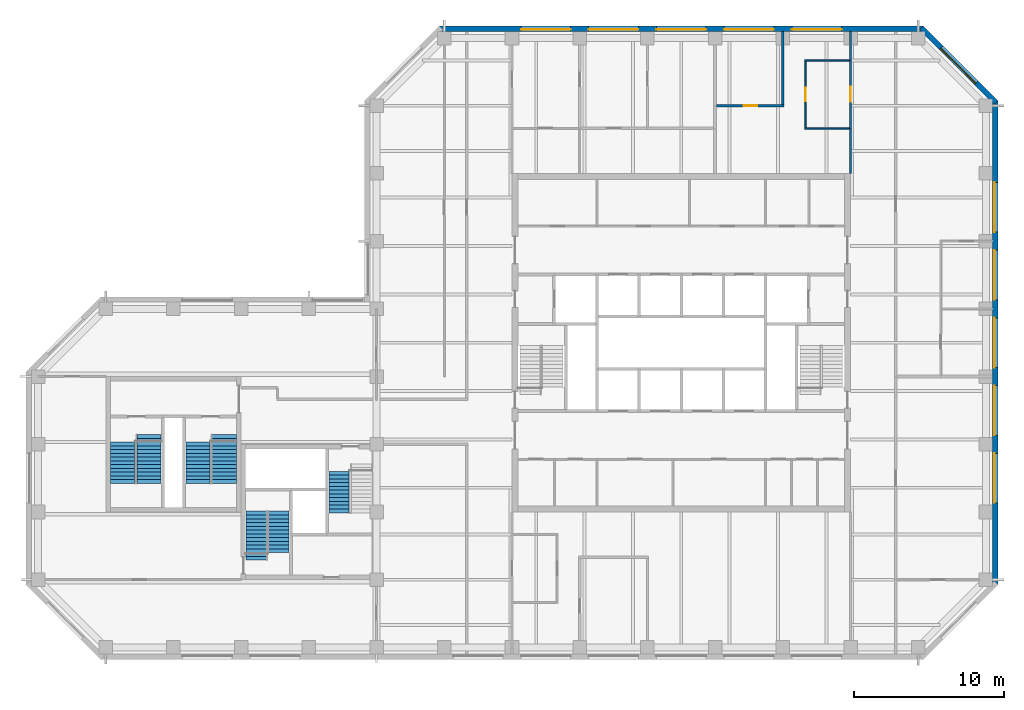
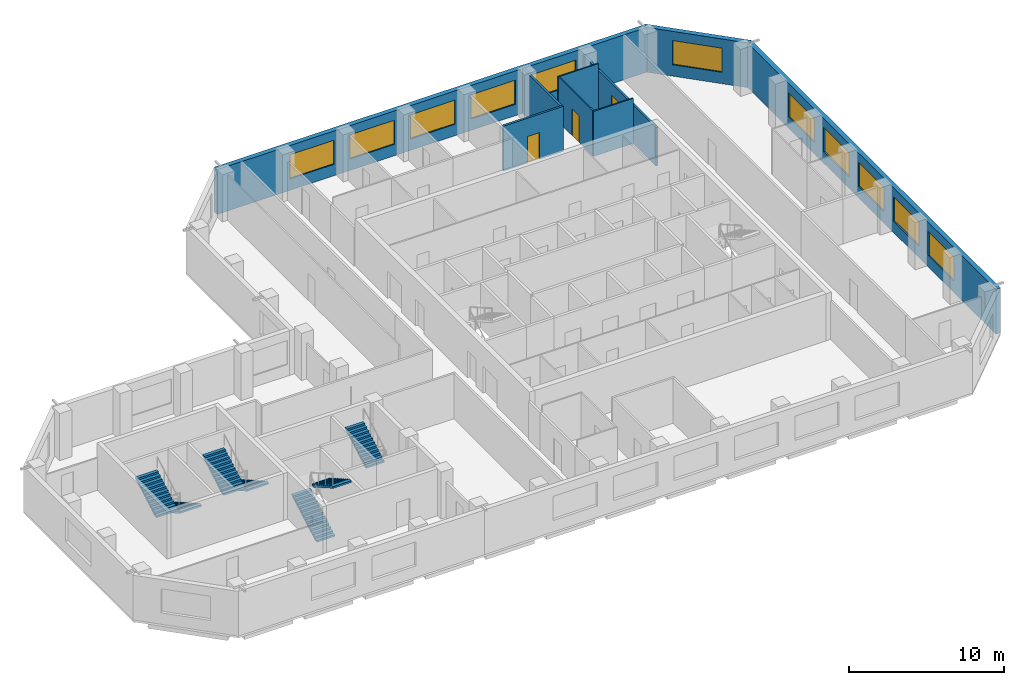
# One storey, part 7 of 9: 11 walls, 11 windows, 7 stair flights, 3 doors, 14 openings, 4 elements without a shape of their own.
"""IFC4 building model written with IfcOpenShell, lengths in metres."""

from ifc_helpers import new_model, si_unit, direction, frame, frame_2d, origin, place, context, subcontext, project, spatial, polyline, rectangle, outline, extrude, material, layer, layer_set, constituent, constituent_set, type_object, element, fill, aggregate, save


model = new_model("IFC4")

# Units and contexts
model_context = context("Model", 3, precision=1e-05, world=origin(), true_north=direction((0.0, 1.0)))
body_context = subcontext(model_context, "Body", "Model", "MODEL_VIEW")
ifc_project = project(units=[si_unit("LENGTHUNIT", "METRE"), si_unit("AREAUNIT", "SQUARE_METRE"), si_unit("VOLUMEUNIT", "CUBIC_METRE"), si_unit("PLANEANGLEUNIT", "RADIAN"), si_unit("MASSUNIT", "GRAM", prefix="KILO")], contexts=[model_context])

# Site, building, storey
site_placement = place(None, origin())
site = spatial("IfcSite", under=ifc_project, at=site_placement, CompositionType="ELEMENT")
building_placement = place(site_placement, origin())
building = spatial("IfcBuilding", under=site, at=building_placement, Name="Quoin Convention Tower", CompositionType="ELEMENT")
storey_placement = place(building_placement, frame((0.0, 0.0, 155.10009765625)))
storey = spatial("IfcBuildingStorey", under=building, at=storey_placement, Name="L40", CompositionType="ELEMENT", Elevation=155.10009765625)

# Wall, opening, door
ifc_material_1 = material(Name="Plasterboard")
ifc_layer_1 = layer(ifc_material_1, 0.012451171875, Name="Finish")
ifc_material_2 = material(Name="Steel stud framing", Category="steel")
ifc_layer_2 = layer(ifc_material_2, 0.125, Name="Structure")
ifc_layer_3 = layer(ifc_material_1, 0.012451171875, Name="Finish")
ifc_layer_set_1 = layer_set([ifc_layer_1, ifc_layer_2, ifc_layer_3], Name="Steel stud framing")
wall_type_1 = type_object("IfcWallType", Name="Acoustic partition 150", PredefinedType="PARTITIONING", material=ifc_layer_set_1)
wall_1_placement = place(storey_placement, frame((58.60009765625, 76.5, 0.0), z_axis=(0.0, 0.0, 1.0), x_axis=(1.0, 0.0, 0.0)))
wall_1 = element("IfcWall", 1, at=wall_1_placement, inside=storey, type_object=wall_type_1, Name="pw-L40-027", PredefinedType="PARTITIONING", context=body_context, shape_type="SweptSolid", body=[
    extrude(rectangle(XDim=4.474853515625, YDim=0.14990234375, at=frame_2d((2.2373046875, 0.0))), origin(), (0.0, 0.0, 1.0), 3.5498046875),
])
opening_1_placement = place(wall_1_placement, frame((1.800048828125, 0.0, 0.0)))
opening_1 = element("IfcOpeningElement", 2, at=opening_1_placement, cuts=wall_1, Name="Opening DOH2-05", PredefinedType="OPENING", context=body_context, shape_type="SweptSolid", body=[
    extrude(rectangle(XDim=0.89990234375, YDim=2.10009765625, at=frame_2d((0.449951171875, 1.050048828125))), frame((0.0, 0.0849609375, 0.0), z_axis=(0.0, -1.0, 0.0), x_axis=(1.0, 0.0, 0.0)), (0.0, 0.0, 1.0), 0.169921875),
])
ifc_material_3 = material(Name="Steel door leaf", Category="steel")
door_type_1 = type_object("IfcDoorType", Name="Office door 900 x 2100", OperationType="SINGLE_SWING_RIGHT", PredefinedType="DOOR", material=ifc_material_3)
door_1_placement = place(opening_1_placement, frame((0.89990234375, 0.0, 0.0), z_axis=(0.0, 0.0, 1.0), x_axis=(-1.0, 0.0, 0.0)))
door_1 = element("IfcDoor", 3, at=door_1_placement, inside=storey, type_object=door_type_1, Name="dr-L40-23", OperationType="SINGLE_SWING_LEFT", OverallHeight=2.10009765625, OverallWidth=0.89990234375, PredefinedType="DOOR", context=body_context, shape_type="SweptSolid", body=[
    extrude(rectangle(XDim=0.89990234375, YDim=2.10009765625, at=frame_2d((0.449951171875, 1.050048828125))), frame((0.0, 0.02490234375, 0.0), z_axis=(0.0, -1.0, 0.0), x_axis=(1.0, 0.0, 0.0)), (0.0, 0.0, 1.0), 0.050048828125),
])
fill(opening_1, door_1)

# Wall
wall_2_placement = place(storey_placement, frame((63.0, 76.574951171875, 0.0), z_axis=(0.0, 0.0, 1.0), x_axis=(0.0, 1.0, 0.0)))
element("IfcWall", 4, at=wall_2_placement, inside=storey, type_object=wall_type_1, Name="pw-L40-071", PredefinedType="PARTITIONING", context=body_context, shape_type="SweptSolid", body=[
    extrude(rectangle(XDim=4.875, YDim=0.14990234375, at=frame_2d((2.4375, 0.0))), origin(), (0.0, 0.0, 1.0), 3.5498046875),
])

# Wall, openings, windows
ifc_material_4 = material(Name="Brick masonry", Category="masonry")
ifc_layer_4 = layer(ifc_material_4, 0.35009765625)
ifc_layer_set_2 = layer_set([ifc_layer_4], Name="Brick masonry")
wall_type_2 = type_object("IfcWallType", Name="Brick facade wall", PredefinedType="STANDARD", material=ifc_layer_set_2)
wall_3_placement = place(storey_placement, frame((77.125, 44.668701171875, 0.0), z_axis=(0.0, 0.0, 1.0), x_axis=(0.0, 1.0, 0.0)))
wall_3 = element("IfcWall", 5, at=wall_3_placement, inside=storey, type_object=wall_type_2, Name="fw-L40-76500_45000", PredefinedType="STANDARD", context=body_context, shape_type="SweptSolid", body=[
    extrude(rectangle(XDim=32.16259765625, YDim=0.35009765625, at=frame_2d((16.081298828125, 0.0))), origin(), (0.0, 0.0, 1.0), 3.52490234375),
])
opening_2_placement = place(wall_3_placement, frame((5.431396484375, 0.0, 0.89990234375)))
opening_2 = element("IfcOpeningElement", 6, at=opening_2_placement, cuts=wall_3, Name="Opening W-02", PredefinedType="OPENING", context=body_context, shape_type="SweptSolid", body=[
    extrude(rectangle(XDim=3.300048828125, YDim=1.89990234375, at=frame_2d((1.64990234375, 0.949951171875))), frame((0.0, 0.18505859375, 0.0), z_axis=(0.0, -1.0, 0.0), x_axis=(1.0, 0.0, 0.0)), (0.0, 0.0, 1.0), 0.3701171875),
])
opening_3_placement = place(wall_3_placement, frame((9.931396484375, 0.0, 0.89990234375)))
opening_3 = element("IfcOpeningElement", 7, at=opening_3_placement, cuts=wall_3, Name="Opening W-02", PredefinedType="OPENING", context=body_context, shape_type="SweptSolid", body=[
    extrude(rectangle(XDim=3.300048828125, YDim=1.89990234375, at=frame_2d((1.64990234375, 0.949951171875))), frame((0.0, 0.18505859375, 0.0), z_axis=(0.0, -1.0, 0.0), x_axis=(1.0, 0.0, 0.0)), (0.0, 0.0, 1.0), 0.3701171875),
])
opening_4_placement = place(wall_3_placement, frame((14.431396484375, 0.0, 0.89990234375)))
opening_4 = element("IfcOpeningElement", 8, at=opening_4_placement, cuts=wall_3, Name="Opening W-02", PredefinedType="OPENING", context=body_context, shape_type="SweptSolid", body=[
    extrude(rectangle(XDim=3.300048828125, YDim=1.89990234375, at=frame_2d((1.64990234375, 0.949951171875))), frame((0.0, 0.18505859375, 0.0), z_axis=(0.0, -1.0, 0.0), x_axis=(1.0, 0.0, 0.0)), (0.0, 0.0, 1.0), 0.3701171875),
])
opening_5_placement = place(wall_3_placement, frame((18.931396484375, 0.0, 0.89990234375)))
opening_5 = element("IfcOpeningElement", 9, at=opening_5_placement, cuts=wall_3, Name="Opening W-02", PredefinedType="OPENING", context=body_context, shape_type="SweptSolid", body=[
    extrude(rectangle(XDim=3.300048828125, YDim=1.89990234375, at=frame_2d((1.64990234375, 0.949951171875))), frame((0.0, 0.18505859375, 0.0), z_axis=(0.0, -1.0, 0.0), x_axis=(1.0, 0.0, 0.0)), (0.0, 0.0, 1.0), 0.3701171875),
])
opening_6_placement = place(wall_3_placement, frame((23.431396484375, 0.0, 0.89990234375)))
opening_6 = element("IfcOpeningElement", 10, at=opening_6_placement, cuts=wall_3, Name="Opening W-02", PredefinedType="OPENING", context=body_context, shape_type="SweptSolid", body=[
    extrude(rectangle(XDim=3.300048828125, YDim=1.89990234375, at=frame_2d((1.64990234375, 0.949951171875))), frame((0.0, 0.18505859375, 0.0), z_axis=(0.0, -1.0, 0.0), x_axis=(1.0, 0.0, 0.0)), (0.0, 0.0, 1.0), 0.3701171875),
])
ifc_material_5 = material(Name="Aluminium", Category="aluminium")
ifc_constituent_1 = constituent(ifc_material_5, Name="Frame")
ifc_material_6 = material(Name="Insulated glass", Category="glass")
ifc_constituent_2 = constituent(ifc_material_6, Name="Glazing")
ifc_constituent_set = constituent_set(constituents=[ifc_constituent_1, ifc_constituent_2], Name="Aluminium")
window_type = type_object("IfcWindowType", Name="Office window", PartitioningType="DOUBLE_PANEL_VERTICAL", PredefinedType="WINDOW", material=ifc_constituent_set)
window_1_placement = place(opening_2_placement, origin())
window_1 = element("IfcWindow", 11, at=window_1_placement, inside=storey, type_object=window_type, Name="win-L40-77125_51750", OverallHeight=1.89990234375, OverallWidth=3.300048828125, PartitioningType="SINGLE_PANEL", PredefinedType="WINDOW", context=body_context, shape_type="SweptSolid", body=[
    extrude(rectangle(XDim=3.300048828125, YDim=1.89990234375, at=frame_2d((1.64990234375, 0.949951171875))), frame((0.0, 0.0849609375, 0.0), z_axis=(0.0, -1.0, 0.0), x_axis=(1.0, 0.0, 0.0)), (0.0, 0.0, 1.0), 0.06005859375),
])
fill(opening_2, window_1)
window_2_placement = place(opening_3_placement, origin())
window_2 = element("IfcWindow", 12, at=window_2_placement, inside=storey, type_object=window_type, Name="win-L40-77125_56250", OverallHeight=1.89990234375, OverallWidth=3.300048828125, PartitioningType="SINGLE_PANEL", PredefinedType="WINDOW", context=body_context, shape_type="SweptSolid", body=[
    extrude(rectangle(XDim=3.300048828125, YDim=1.89990234375, at=frame_2d((1.64990234375, 0.949951171875))), frame((0.0, 0.0849609375, 0.0), z_axis=(0.0, -1.0, 0.0), x_axis=(1.0, 0.0, 0.0)), (0.0, 0.0, 1.0), 0.06005859375),
])
fill(opening_3, window_2)
window_3_placement = place(opening_4_placement, origin())
window_3 = element("IfcWindow", 13, at=window_3_placement, inside=storey, type_object=window_type, Name="win-L40-77125_60750", OverallHeight=1.89990234375, OverallWidth=3.300048828125, PartitioningType="SINGLE_PANEL", PredefinedType="WINDOW", context=body_context, shape_type="SweptSolid", body=[
    extrude(rectangle(XDim=3.300048828125, YDim=1.89990234375, at=frame_2d((1.64990234375, 0.949951171875))), frame((0.0, 0.0849609375, 0.0), z_axis=(0.0, -1.0, 0.0), x_axis=(1.0, 0.0, 0.0)), (0.0, 0.0, 1.0), 0.06005859375),
])
fill(opening_4, window_3)
window_4_placement = place(opening_5_placement, origin())
window_4 = element("IfcWindow", 14, at=window_4_placement, inside=storey, type_object=window_type, Name="win-L40-77125_65250", OverallHeight=1.89990234375, OverallWidth=3.300048828125, PartitioningType="SINGLE_PANEL", PredefinedType="WINDOW", context=body_context, shape_type="SweptSolid", body=[
    extrude(rectangle(XDim=3.300048828125, YDim=1.89990234375, at=frame_2d((1.64990234375, 0.949951171875))), frame((0.0, 0.0849609375, 0.0), z_axis=(0.0, -1.0, 0.0), x_axis=(1.0, 0.0, 0.0)), (0.0, 0.0, 1.0), 0.06005859375),
])
fill(opening_5, window_4)
window_5_placement = place(opening_6_placement, origin())
window_5 = element("IfcWindow", 15, at=window_5_placement, inside=storey, type_object=window_type, Name="win-L40-77125_69750", OverallHeight=1.89990234375, OverallWidth=3.300048828125, PartitioningType="SINGLE_PANEL", PredefinedType="WINDOW", context=body_context, shape_type="SweptSolid", body=[
    extrude(rectangle(XDim=3.300048828125, YDim=1.89990234375, at=frame_2d((1.64990234375, 0.949951171875))), frame((0.0, 0.0849609375, 0.0), z_axis=(0.0, -1.0, 0.0), x_axis=(1.0, 0.0, 0.0)), (0.0, 0.0, 1.0), 0.06005859375),
])
fill(opening_6, window_5)

# Wall, opening, window
wall_4_placement = place(storey_placement, frame((77.17626953125, 76.70751953125, 0.0), z_axis=(0.0, 0.0, 1.0), x_axis=(-0.707106781187, 0.707106781187, 0.0)))
wall_4 = element("IfcWall", 16, at=wall_4_placement, inside=storey, type_object=wall_type_2, Name="fw-L40-76500_76500", PredefinedType="STANDARD", context=body_context, shape_type="SweptSolid", body=[
    extrude(rectangle(XDim=7.02685546875, YDim=0.35009765625, at=frame_2d((3.513427734375, 0.0))), origin(), (0.0, 0.0, 1.0), 3.52490234375),
])
opening_7_placement = place(wall_4_placement, frame((1.86328125, 0.0, 0.89990234375)))
opening_7 = element("IfcOpeningElement", 17, at=opening_7_placement, cuts=wall_4, Name="Opening W-02", PredefinedType="OPENING", context=body_context, shape_type="SweptSolid", body=[
    extrude(rectangle(XDim=3.300048828125, YDim=1.89990234375, at=frame_2d((1.64990234375, 0.949951171875))), frame((0.0, 0.18505859375, 0.0), z_axis=(0.0, -1.0, 0.0), x_axis=(1.0, 0.0, 0.0)), (0.0, 0.0, 1.0), 0.3701171875),
])
window_6_placement = place(opening_7_placement, origin())
window_6 = element("IfcWindow", 18, at=window_6_placement, inside=storey, type_object=window_type, Name="win-L40-74692_79192", OverallHeight=1.89990234375, OverallWidth=3.300048828125, PartitioningType="SINGLE_PANEL", PredefinedType="WINDOW", context=body_context, shape_type="SweptSolid", body=[
    extrude(rectangle(XDim=3.300048828125, YDim=1.89990234375, at=frame_2d((1.64990234375, 0.949951171875))), frame((0.0, 0.0849609375, 0.0), z_axis=(0.0, -1.0, 0.0), x_axis=(1.0, 0.0, 0.0)), (0.0, 0.0, 1.0), 0.06005859375),
])
fill(opening_7, window_6)

# Wall, openings, windows
wall_5_placement = place(storey_placement, frame((72.331298828125, 81.625, 0.0), z_axis=(0.0, 0.0, 1.0), x_axis=(-1.0, 0.0, 0.0)))
wall_5 = element("IfcWall", 19, at=wall_5_placement, inside=storey, type_object=wall_type_2, Name="fw-L40-72000_81000", PredefinedType="STANDARD", context=body_context, shape_type="SweptSolid", body=[
    extrude(rectangle(XDim=32.16259765625, YDim=0.35009765625, at=frame_2d((16.081298828125, 0.0))), origin(), (0.0, 0.0, 1.0), 3.52490234375),
])
opening_8_placement = place(wall_5_placement, frame((5.431396484375, 0.0, 0.89990234375)))
opening_8 = element("IfcOpeningElement", 20, at=opening_8_placement, cuts=wall_5, Name="Opening W-02", PredefinedType="OPENING", context=body_context, shape_type="SweptSolid", body=[
    extrude(rectangle(XDim=3.300048828125, YDim=1.89990234375, at=frame_2d((1.64990234375, 0.949951171875))), frame((0.0, 0.18505859375, 0.0), z_axis=(0.0, -1.0, 0.0), x_axis=(1.0, 0.0, 0.0)), (0.0, 0.0, 1.0), 0.3701171875),
])
opening_9_placement = place(wall_5_placement, frame((9.931396484375, 0.0, 0.89990234375)))
opening_9 = element("IfcOpeningElement", 21, at=opening_9_placement, cuts=wall_5, Name="Opening W-02", PredefinedType="OPENING", context=body_context, shape_type="SweptSolid", body=[
    extrude(rectangle(XDim=3.300048828125, YDim=1.89990234375, at=frame_2d((1.64990234375, 0.949951171875))), frame((0.0, 0.18505859375, 0.0), z_axis=(0.0, -1.0, 0.0), x_axis=(1.0, 0.0, 0.0)), (0.0, 0.0, 1.0), 0.3701171875),
])
opening_10_placement = place(wall_5_placement, frame((14.431396484375, 0.0, 0.89990234375)))
opening_10 = element("IfcOpeningElement", 22, at=opening_10_placement, cuts=wall_5, Name="Opening W-02", PredefinedType="OPENING", context=body_context, shape_type="SweptSolid", body=[
    extrude(rectangle(XDim=3.300048828125, YDim=1.89990234375, at=frame_2d((1.64990234375, 0.949951171875))), frame((0.0, 0.18505859375, 0.0), z_axis=(0.0, -1.0, 0.0), x_axis=(1.0, 0.0, 0.0)), (0.0, 0.0, 1.0), 0.3701171875),
])
opening_11_placement = place(wall_5_placement, frame((18.931396484375, 0.0, 0.89990234375)))
opening_11 = element("IfcOpeningElement", 23, at=opening_11_placement, cuts=wall_5, Name="Opening W-02", PredefinedType="OPENING", context=body_context, shape_type="SweptSolid", body=[
    extrude(rectangle(XDim=3.300048828125, YDim=1.89990234375, at=frame_2d((1.64990234375, 0.949951171875))), frame((0.0, 0.18505859375, 0.0), z_axis=(0.0, -1.0, 0.0), x_axis=(1.0, 0.0, 0.0)), (0.0, 0.0, 1.0), 0.3701171875),
])
opening_12_placement = place(wall_5_placement, frame((23.431396484375, 0.0, 0.89990234375)))
opening_12 = element("IfcOpeningElement", 24, at=opening_12_placement, cuts=wall_5, Name="Opening W-02", PredefinedType="OPENING", context=body_context, shape_type="SweptSolid", body=[
    extrude(rectangle(XDim=3.300048828125, YDim=1.89990234375, at=frame_2d((1.64990234375, 0.949951171875))), frame((0.0, 0.18505859375, 0.0), z_axis=(0.0, -1.0, 0.0), x_axis=(1.0, 0.0, 0.0)), (0.0, 0.0, 1.0), 0.3701171875),
])
window_7_placement = place(opening_8_placement, origin())
window_7 = element("IfcWindow", 25, at=window_7_placement, inside=storey, type_object=window_type, Name="win-L40-65250_81625", OverallHeight=1.89990234375, OverallWidth=3.300048828125, PartitioningType="SINGLE_PANEL", PredefinedType="WINDOW", context=body_context, shape_type="SweptSolid", body=[
    extrude(rectangle(XDim=3.300048828125, YDim=1.89990234375, at=frame_2d((1.64990234375, 0.949951171875))), frame((0.0, 0.0849609375, 0.0), z_axis=(0.0, -1.0, 0.0), x_axis=(1.0, 0.0, 0.0)), (0.0, 0.0, 1.0), 0.06005859375),
])
fill(opening_8, window_7)
window_8_placement = place(opening_9_placement, origin())
window_8 = element("IfcWindow", 26, at=window_8_placement, inside=storey, type_object=window_type, Name="win-L40-60750_81625", OverallHeight=1.89990234375, OverallWidth=3.300048828125, PartitioningType="SINGLE_PANEL", PredefinedType="WINDOW", context=body_context, shape_type="SweptSolid", body=[
    extrude(rectangle(XDim=3.300048828125, YDim=1.89990234375, at=frame_2d((1.64990234375, 0.949951171875))), frame((0.0, 0.0849609375, 0.0), z_axis=(0.0, -1.0, 0.0), x_axis=(1.0, 0.0, 0.0)), (0.0, 0.0, 1.0), 0.06005859375),
])
fill(opening_9, window_8)
window_9_placement = place(opening_10_placement, origin())
window_9 = element("IfcWindow", 27, at=window_9_placement, inside=storey, type_object=window_type, Name="win-L40-56250_81625", OverallHeight=1.89990234375, OverallWidth=3.300048828125, PartitioningType="SINGLE_PANEL", PredefinedType="WINDOW", context=body_context, shape_type="SweptSolid", body=[
    extrude(rectangle(XDim=3.300048828125, YDim=1.89990234375, at=frame_2d((1.64990234375, 0.949951171875))), frame((0.0, 0.0849609375, 0.0), z_axis=(0.0, -1.0, 0.0), x_axis=(1.0, 0.0, 0.0)), (0.0, 0.0, 1.0), 0.06005859375),
])
fill(opening_10, window_9)
window_10_placement = place(opening_11_placement, origin())
window_10 = element("IfcWindow", 28, at=window_10_placement, inside=storey, type_object=window_type, Name="win-L40-51750_81625", OverallHeight=1.89990234375, OverallWidth=3.300048828125, PartitioningType="SINGLE_PANEL", PredefinedType="WINDOW", context=body_context, shape_type="SweptSolid", body=[
    extrude(rectangle(XDim=3.300048828125, YDim=1.89990234375, at=frame_2d((1.64990234375, 0.949951171875))), frame((0.0, 0.0849609375, 0.0), z_axis=(0.0, -1.0, 0.0), x_axis=(1.0, 0.0, 0.0)), (0.0, 0.0, 1.0), 0.06005859375),
])
fill(opening_11, window_10)
window_11_placement = place(opening_12_placement, origin())
window_11 = element("IfcWindow", 29, at=window_11_placement, inside=storey, type_object=window_type, Name="win-L40-47250_81625", OverallHeight=1.89990234375, OverallWidth=3.300048828125, PartitioningType="SINGLE_PANEL", PredefinedType="WINDOW", context=body_context, shape_type="SweptSolid", body=[
    extrude(rectangle(XDim=3.300048828125, YDim=1.89990234375, at=frame_2d((1.64990234375, 0.949951171875))), frame((0.0, 0.0849609375, 0.0), z_axis=(0.0, -1.0, 0.0), x_axis=(1.0, 0.0, 0.0)), (0.0, 0.0, 1.0), 0.06005859375),
])
fill(opening_12, window_11)

# Wall
ifc_layer_5 = layer(ifc_material_1, 0.012451171875, Name="Finish")
ifc_layer_6 = layer(ifc_material_2, 0.125, Name="Structure")
ifc_layer_7 = layer(ifc_material_1, 0.012451171875, Name="Finish")
ifc_layer_set_3 = layer_set([ifc_layer_5, ifc_layer_6, ifc_layer_7], Name="Steel stud framing")
wall_type_3 = type_object("IfcWallType", Name="Corridor wall 150 under beam 528", PredefinedType="PARTITIONING", material=ifc_layer_set_3)
wall_6_placement = place(storey_placement, frame((67.5, 72.0, 0.0), z_axis=(0.0, 0.0, 1.0), x_axis=(0.0, 1.0, 0.0)))
element("IfcWall", 30, at=wall_6_placement, inside=storey, type_object=wall_type_3, Name="pw-L40-063", PredefinedType="PARTITIONING", context=body_context, shape_type="SweptSolid", body=[
    extrude(rectangle(XDim=3.0, YDim=0.14990234375, at=frame_2d((1.5, 0.0))), origin(), (0.0, 0.0, 1.0), 3.02197265625),
])

# Wall, opening, door
wall_7_placement = place(storey_placement, frame((67.5, 75.0, 0.0), z_axis=(0.0, 0.0, 1.0), x_axis=(0.0, 1.0, 0.0)))
wall_7 = element("IfcWall", 31, at=wall_7_placement, inside=storey, type_object=wall_type_3, Name="pw-L40-067", PredefinedType="PARTITIONING", context=body_context, shape_type="SweptSolid", body=[
    extrude(rectangle(XDim=4.5, YDim=0.14990234375, at=frame_2d((2.25, 0.0))), origin(), (0.0, 0.0, 1.0), 3.02197265625),
])
opening_13_placement = place(wall_7_placement, frame((1.75, 0.0, 0.0)))
opening_13 = element("IfcOpeningElement", 32, at=opening_13_placement, cuts=wall_7, Name="Opening DOH2-16", PredefinedType="OPENING", context=body_context, shape_type="SweptSolid", body=[
    extrude(rectangle(XDim=1.0, YDim=2.10009765625, at=frame_2d((0.5, 1.050048828125))), frame((0.0, 0.0849609375, 0.0), z_axis=(0.0, -1.0, 0.0), x_axis=(1.0, 0.0, 0.0)), (0.0, 0.0, 1.0), 0.169921875),
])
door_type_2 = type_object("IfcDoorType", Name="Tenancy entrance door 1000 x 2100", OperationType="DOUBLE_DOOR_SINGLE_SWING", PredefinedType="DOOR", material=ifc_material_3)
door_2_placement = place(opening_13_placement, frame((1.0, 0.0, 0.0), z_axis=(0.0, 0.0, 1.0), x_axis=(-1.0, 0.0, 0.0)))
door_2 = element("IfcDoor", 33, at=door_2_placement, inside=storey, type_object=door_type_2, Name="dr-L40-21", OperationType="DOUBLE_DOOR_SINGLE_SWING", OverallHeight=2.10009765625, OverallWidth=1.0, PredefinedType="DOOR", context=body_context, shape_type="SweptSolid", body=[
    extrude(rectangle(XDim=1.0, YDim=2.10009765625, at=frame_2d((0.5, 1.050048828125))), frame((0.0, 0.02490234375, 0.0), z_axis=(0.0, -1.0, 0.0), x_axis=(1.0, 0.0, 0.0)), (0.0, 0.0, 1.0), 0.050048828125),
])
fill(opening_13, door_2)

# Walls
wall_8_placement = place(storey_placement, frame((67.5, 79.5, 0.0), z_axis=(0.0, 0.0, 1.0), x_axis=(0.0, 1.0, 0.0)))
element("IfcWall", 34, at=wall_8_placement, inside=storey, type_object=wall_type_3, Name="pw-L40-072", PredefinedType="PARTITIONING", context=body_context, shape_type="SweptSolid", body=[
    extrude(rectangle(XDim=1.949951171875, YDim=0.14990234375, at=frame_2d((0.97509765625, 0.0))), origin(), (0.0, 0.0, 1.0), 3.02197265625),
])
ifc_layer_8 = layer(ifc_material_1, 0.012451171875, Name="Finish")
ifc_layer_9 = layer(ifc_material_2, 0.074951171875, Name="Structure")
ifc_layer_10 = layer(ifc_material_1, 0.012451171875, Name="Finish")
ifc_layer_set_4 = layer_set([ifc_layer_8, ifc_layer_9, ifc_layer_10], Name="Steel stud framing")
wall_type_4 = type_object("IfcWallType", Name="Stud partition 100", PredefinedType="PARTITIONING", material=ifc_layer_set_4)
for number, where, z_axis, x_axis, name in (
    (35, (64.449951171875, 75.0, 0.0), (0.0, 0.0, 1.0), (1.0, 0.0, 0.0), "pw-L40-026"),
    (36, (64.449951171875, 79.5, 0.0), (0.0, 0.0, 1.0), (1.0, 0.0, 0.0), "pw-L40-028"),
):
    element("IfcWall", number, at=place(storey_placement, frame(where, z_axis=z_axis, x_axis=x_axis)), inside=storey, type_object=wall_type_4, Name=name, PredefinedType="PARTITIONING", context=body_context, shape_type="SweptSolid", body=[
        extrude(rectangle(XDim=2.97509765625, YDim=0.10009765625, at=frame_2d((1.487548828125, 0.0))), origin(), (0.0, 0.0, 1.0), 3.5498046875),
    ])

# Wall, opening, door
wall_9_placement = place(storey_placement, frame((64.5, 75.050048828125, 0.0), z_axis=(0.0, 0.0, 1.0), x_axis=(0.0, 1.0, 0.0)))
wall_9 = element("IfcWall", 37, at=wall_9_placement, inside=storey, type_object=wall_type_4, Name="pw-L40-068", PredefinedType="PARTITIONING", context=body_context, shape_type="SweptSolid", body=[
    extrude(rectangle(XDim=4.39990234375, YDim=0.10009765625, at=frame_2d((2.199951171875, 0.0))), origin(), (0.0, 0.0, 1.0), 3.5498046875),
])
opening_14_placement = place(wall_9_placement, frame((1.75, 0.0, 0.0)))
opening_14 = element("IfcOpeningElement", 38, at=opening_14_placement, cuts=wall_9, Name="Opening DOH2-17", PredefinedType="OPENING", context=body_context, shape_type="SweptSolid", body=[
    extrude(rectangle(XDim=0.89990234375, YDim=2.10009765625, at=frame_2d((0.449951171875, 1.050048828125))), frame((0.0, 0.06005859375, 0.0), z_axis=(0.0, -1.0, 0.0), x_axis=(1.0, 0.0, 0.0)), (0.0, 0.0, 1.0), 0.1201171875),
])
door_3_placement = place(opening_14_placement, origin())
door_3 = element("IfcDoor", 39, at=door_3_placement, inside=storey, type_object=door_type_1, Name="dr-L40-22", OperationType="SINGLE_SWING_RIGHT", OverallHeight=2.10009765625, OverallWidth=0.89990234375, PredefinedType="DOOR", context=body_context, shape_type="SweptSolid", body=[
    extrude(rectangle(XDim=0.89990234375, YDim=2.10009765625, at=frame_2d((0.449951171875, 1.050048828125))), frame((0.0, 0.02490234375, 0.0), z_axis=(0.0, -1.0, 0.0), x_axis=(1.0, 0.0, 0.0)), (0.0, 0.0, 1.0), 0.050048828125),
])
fill(opening_14, door_3)

# Stair, stair flights
ifc_material_7 = material(Name="Concrete C40", Category="concrete")
stair_type_1 = type_object("IfcStairType", Name="Exit stair two-flight 1350", PredefinedType="HALF_TURN_STAIR", material=ifc_material_7)
stair_1_placement = place(storey_placement, origin())
stair_1 = element("IfcStair", 40, at=stair_1_placement, inside=storey, type_object=stair_type_1, Name="SD3 L40", PredefinedType="HALF_TURN_STAIR")
stair_flight_type_1 = type_object("IfcStairFlightType", Name="Stair flight 1350", PredefinedType="STRAIGHT", material=ifc_material_7)
stair_flight_1_placement = place(storey_placement, frame((28.0, 46.300048828125, 0.0), z_axis=(0.0, 0.0, 1.0), x_axis=(0.0, 1.0, 0.0)))
stair_flight_1 = element("IfcStairFlight", 41, at=stair_flight_1_placement, type_object=stair_flight_type_1, Name="ST3 flight 1", NumberOfRisers=14, NumberOfTreads=13, PredefinedType="STRAIGHT", RiserHeight=0.142307692, TreadLength=0.25, context=body_context, shape_type="SweptSolid", body=[
    extrude(outline(polyline([(0.0, 0.0), (0.0, 0.142333984375), (0.25, 0.142333984375), (0.25, 0.28466796875), (0.5, 0.28466796875), (0.5, 0.427001953125), (0.75, 0.427001953125), (0.75, 0.5693359375), (1.0, 0.5693359375), (1.0, 0.71142578125), (1.25, 0.71142578125), (1.25, 0.853759765625), (1.5, 0.853759765625), (1.5, 0.99609375), (1.75, 0.99609375), (1.75, 1.138427734375), (2.0, 1.138427734375), (2.0, 1.28076171875), (2.25, 1.28076171875), (2.25, 1.423095703125), (2.5, 1.423095703125), (2.5, 1.5654296875), (2.75, 1.5654296875), (2.75, 1.707763671875), (3.0, 1.707763671875), (3.0, 1.85009765625), (3.25, 1.85009765625), (3.25, 1.9921875), (3.25, 1.711669921875), (0.242919921875, 0.0), (0.0, 0.0)])), frame((0.0, 0.675048828125, 0.0), z_axis=(0.0, -1.0, 0.0), x_axis=(1.0, 0.0, 0.0)), (0.0, 0.0, 1.0), 1.35009765625),
])
stair_flight_2_placement = place(storey_placement, frame((29.5, 49.550048828125, 1.9921875), z_axis=(0.0, 0.0, 1.0), x_axis=(0.0, -1.0, 0.0)))
stair_flight_2 = element("IfcStairFlight", 42, at=stair_flight_2_placement, type_object=stair_flight_type_1, Name="ST3 flight 2", NumberOfRisers=12, NumberOfTreads=11, PredefinedType="STRAIGHT", RiserHeight=0.142307692, TreadLength=0.25, context=body_context, shape_type="SweptSolid", body=[
    extrude(outline(polyline([(0.0, 0.0), (0.0, 0.142333984375), (0.25, 0.142333984375), (0.25, 0.28466796875), (0.5, 0.28466796875), (0.5, 0.427001953125), (0.75, 0.427001953125), (0.75, 0.5693359375), (1.0, 0.5693359375), (1.0, 0.71142578125), (1.25, 0.71142578125), (1.25, 0.853759765625), (1.5, 0.853759765625), (1.5, 0.99609375), (1.75, 0.99609375), (1.75, 1.138427734375), (2.0, 1.138427734375), (2.0, 1.28076171875), (2.25, 1.28076171875), (2.25, 1.423095703125), (2.5, 1.423095703125), (2.5, 1.5654296875), (2.75, 1.5654296875), (2.75, 1.707763671875), (2.75, 1.42724609375), (0.242919921875, 0.0), (0.0, 0.0)])), frame((0.0, 0.675048828125, 0.0), z_axis=(0.0, -1.0, 0.0), x_axis=(1.0, 0.0, 0.0)), (0.0, 0.0, 1.0), 1.35009765625),
])
aggregate(stair_1, [stair_flight_1, stair_flight_2])

# Stair, stair flight
stair_2_placement = place(storey_placement, origin())
stair_2 = element("IfcStair", 43, at=stair_2_placement, inside=storey, type_object=stair_type_1, Name="SD4 L40", PredefinedType="HALF_TURN_STAIR")
stair_flight_3_placement = place(storey_placement, frame((33.5, 49.449951171875, 1.9921875), z_axis=(0.0, 0.0, 1.0), x_axis=(0.0, 1.0, 0.0)))
stair_flight_3 = element("IfcStairFlight", 44, at=stair_flight_3_placement, type_object=stair_flight_type_1, Name="ST4 flight 2", NumberOfRisers=12, NumberOfTreads=11, PredefinedType="STRAIGHT", RiserHeight=0.142307692, TreadLength=0.25, context=body_context, shape_type="SweptSolid", body=[
    extrude(outline(polyline([(0.0, 0.0), (0.0, 0.142333984375), (0.25, 0.142333984375), (0.25, 0.28466796875), (0.5, 0.28466796875), (0.5, 0.427001953125), (0.75, 0.427001953125), (0.75, 0.5693359375), (1.0, 0.5693359375), (1.0, 0.71142578125), (1.25, 0.71142578125), (1.25, 0.853759765625), (1.5, 0.853759765625), (1.5, 0.99609375), (1.75, 0.99609375), (1.75, 1.138427734375), (2.0, 1.138427734375), (2.0, 1.28076171875), (2.25, 1.28076171875), (2.25, 1.423095703125), (2.5, 1.423095703125), (2.5, 1.5654296875), (2.75, 1.5654296875), (2.75, 1.707763671875), (2.75, 1.42724609375), (0.242919921875, 0.0), (0.0, 0.0)])), frame((0.0, 0.675048828125, 0.0), z_axis=(0.0, -1.0, 0.0), x_axis=(1.0, 0.0, 0.0)), (0.0, 0.0, 1.0), 1.35009765625),
])
aggregate(stair_2, [stair_flight_3])

# Stair, stair flights
stair_type_2 = type_object("IfcStairType", Name="Exit stair two-flight 1600", PredefinedType="HALF_TURN_STAIR", material=ifc_material_7)
stair_3_placement = place(storey_placement, origin())
stair_3 = element("IfcStair", 45, at=stair_3_placement, inside=storey, type_object=stair_type_2, Name="SD11 L40", PredefinedType="HALF_TURN_STAIR")
stair_flight_type_2 = type_object("IfcStairFlightType", Name="Stair flight 1600", PredefinedType="STRAIGHT", material=ifc_material_7)
stair_flight_4_placement = place(storey_placement, frame((20.875, 54.64990234375, 0.0), z_axis=(0.0, 0.0, 1.0), x_axis=(0.0, -1.0, 0.0)))
stair_flight_4 = element("IfcStairFlight", 46, at=stair_flight_4_placement, type_object=stair_flight_type_2, Name="ST11 flight 1", NumberOfRisers=14, NumberOfTreads=13, PredefinedType="STRAIGHT", RiserHeight=0.142307692, TreadLength=0.25, context=body_context, shape_type="SweptSolid", body=[
    extrude(outline(polyline([(0.0, 0.0), (0.0, 0.142333984375), (0.25, 0.142333984375), (0.25, 0.28466796875), (0.5, 0.28466796875), (0.5, 0.427001953125), (0.75, 0.427001953125), (0.75, 0.5693359375), (1.0, 0.5693359375), (1.0, 0.71142578125), (1.25, 0.71142578125), (1.25, 0.853759765625), (1.5, 0.853759765625), (1.5, 0.99609375), (1.75, 0.99609375), (1.75, 1.138427734375), (2.0, 1.138427734375), (2.0, 1.28076171875), (2.25, 1.28076171875), (2.25, 1.423095703125), (2.5, 1.423095703125), (2.5, 1.5654296875), (2.75, 1.5654296875), (2.75, 1.707763671875), (3.0, 1.707763671875), (3.0, 1.85009765625), (3.25, 1.85009765625), (3.25, 1.9921875), (3.25, 1.711669921875), (0.242919921875, 0.0), (0.0, 0.0)])), frame((0.0, 0.800048828125, 0.0), z_axis=(0.0, -1.0, 0.0), x_axis=(1.0, 0.0, 0.0)), (0.0, 0.0, 1.0), 1.60009765625),
])
stair_flight_5_placement = place(storey_placement, frame((19.125, 51.39990234375, 1.9921875), z_axis=(0.0, 0.0, 1.0), x_axis=(0.0, 1.0, 0.0)))
stair_flight_5 = element("IfcStairFlight", 47, at=stair_flight_5_placement, type_object=stair_flight_type_2, Name="ST11 flight 2", NumberOfRisers=12, NumberOfTreads=11, PredefinedType="STRAIGHT", RiserHeight=0.142307692, TreadLength=0.25, context=body_context, shape_type="SweptSolid", body=[
    extrude(outline(polyline([(0.0, 0.0), (0.0, 0.142333984375), (0.25, 0.142333984375), (0.25, 0.28466796875), (0.5, 0.28466796875), (0.5, 0.427001953125), (0.75, 0.427001953125), (0.75, 0.5693359375), (1.0, 0.5693359375), (1.0, 0.71142578125), (1.25, 0.71142578125), (1.25, 0.853759765625), (1.5, 0.853759765625), (1.5, 0.99609375), (1.75, 0.99609375), (1.75, 1.138427734375), (2.0, 1.138427734375), (2.0, 1.28076171875), (2.25, 1.28076171875), (2.25, 1.423095703125), (2.5, 1.423095703125), (2.5, 1.5654296875), (2.75, 1.5654296875), (2.75, 1.707763671875), (2.75, 1.42724609375), (0.242919921875, 0.0), (0.0, 0.0)])), frame((0.0, 0.800048828125, 0.0), z_axis=(0.0, -1.0, 0.0), x_axis=(1.0, 0.0, 0.0)), (0.0, 0.0, 1.0), 1.60009765625),
])
aggregate(stair_3, [stair_flight_4, stair_flight_5])

stair_4_placement = place(storey_placement, origin())
stair_4 = element("IfcStair", 48, at=stair_4_placement, inside=storey, type_object=stair_type_2, Name="SD12 L40", PredefinedType="HALF_TURN_STAIR")
stair_flight_6_placement = place(storey_placement, frame((25.875, 54.64990234375, 0.0), z_axis=(0.0, 0.0, 1.0), x_axis=(0.0, -1.0, 0.0)))
stair_flight_6 = element("IfcStairFlight", 49, at=stair_flight_6_placement, type_object=stair_flight_type_2, Name="ST12 flight 1", NumberOfRisers=14, NumberOfTreads=13, PredefinedType="STRAIGHT", RiserHeight=0.142307692, TreadLength=0.25, context=body_context, shape_type="SweptSolid", body=[
    extrude(outline(polyline([(0.0, 0.0), (0.0, 0.142333984375), (0.25, 0.142333984375), (0.25, 0.28466796875), (0.5, 0.28466796875), (0.5, 0.427001953125), (0.75, 0.427001953125), (0.75, 0.5693359375), (1.0, 0.5693359375), (1.0, 0.71142578125), (1.25, 0.71142578125), (1.25, 0.853759765625), (1.5, 0.853759765625), (1.5, 0.99609375), (1.75, 0.99609375), (1.75, 1.138427734375), (2.0, 1.138427734375), (2.0, 1.28076171875), (2.25, 1.28076171875), (2.25, 1.423095703125), (2.5, 1.423095703125), (2.5, 1.5654296875), (2.75, 1.5654296875), (2.75, 1.707763671875), (3.0, 1.707763671875), (3.0, 1.85009765625), (3.25, 1.85009765625), (3.25, 1.9921875), (3.25, 1.711669921875), (0.242919921875, 0.0), (0.0, 0.0)])), frame((0.0, 0.800048828125, 0.0), z_axis=(0.0, -1.0, 0.0), x_axis=(1.0, 0.0, 0.0)), (0.0, 0.0, 1.0), 1.60009765625),
])
stair_flight_7_placement = place(storey_placement, frame((24.125, 51.39990234375, 1.9921875), z_axis=(0.0, 0.0, 1.0), x_axis=(0.0, 1.0, 0.0)))
stair_flight_7 = element("IfcStairFlight", 50, at=stair_flight_7_placement, type_object=stair_flight_type_2, Name="ST12 flight 2", NumberOfRisers=12, NumberOfTreads=11, PredefinedType="STRAIGHT", RiserHeight=0.142307692, TreadLength=0.25, context=body_context, shape_type="SweptSolid", body=[
    extrude(outline(polyline([(0.0, 0.0), (0.0, 0.142333984375), (0.25, 0.142333984375), (0.25, 0.28466796875), (0.5, 0.28466796875), (0.5, 0.427001953125), (0.75, 0.427001953125), (0.75, 0.5693359375), (1.0, 0.5693359375), (1.0, 0.71142578125), (1.25, 0.71142578125), (1.25, 0.853759765625), (1.5, 0.853759765625), (1.5, 0.99609375), (1.75, 0.99609375), (1.75, 1.138427734375), (2.0, 1.138427734375), (2.0, 1.28076171875), (2.25, 1.28076171875), (2.25, 1.423095703125), (2.5, 1.423095703125), (2.5, 1.5654296875), (2.75, 1.5654296875), (2.75, 1.707763671875), (2.75, 1.42724609375), (0.242919921875, 0.0), (0.0, 0.0)])), frame((0.0, 0.800048828125, 0.0), z_axis=(0.0, -1.0, 0.0), x_axis=(1.0, 0.0, 0.0)), (0.0, 0.0, 1.0), 1.60009765625),
])
aggregate(stair_4, [stair_flight_6, stair_flight_7])

save(model, "model.ifc")
